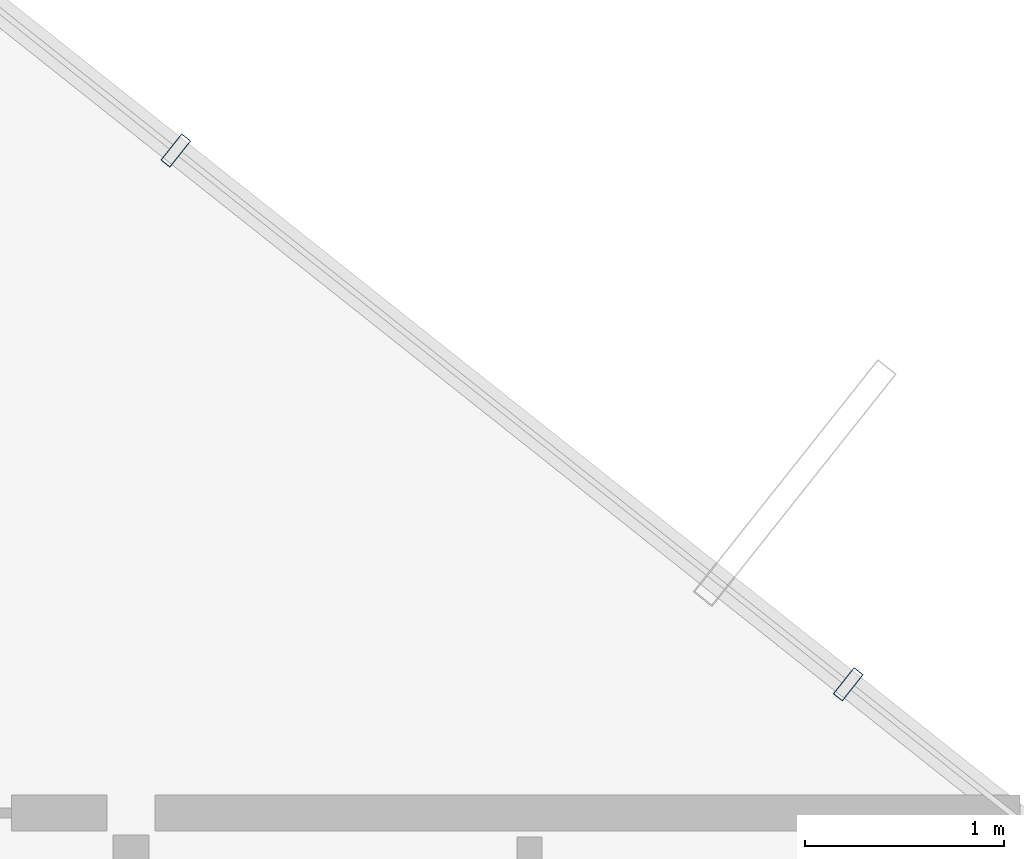
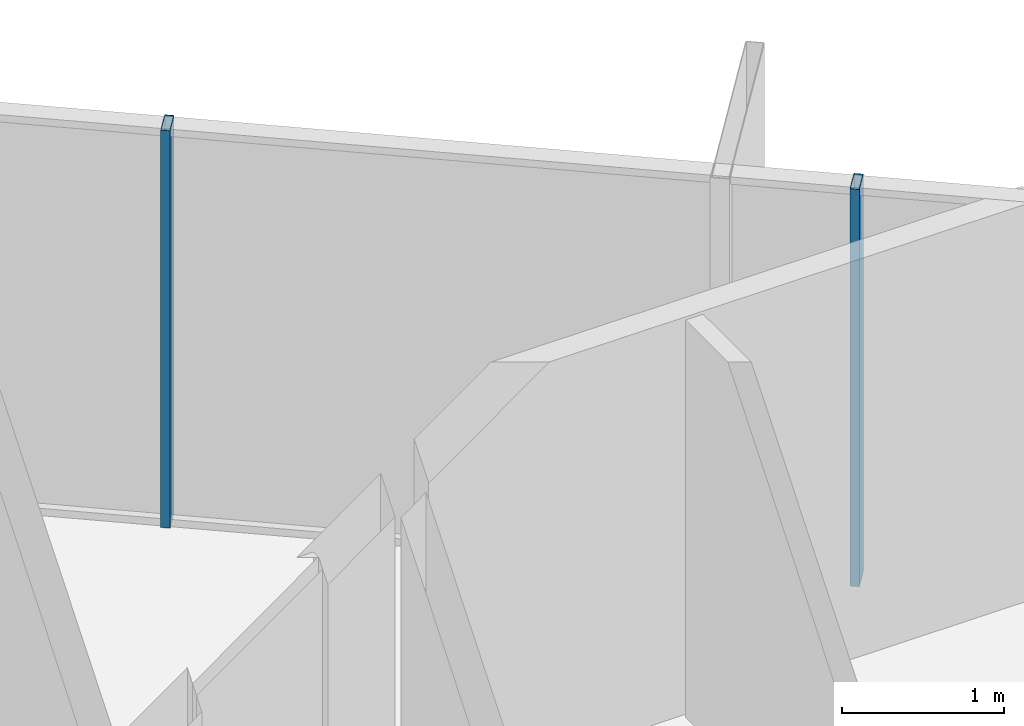
# One storey, part 22 of 29: 2 members, 1 element without a shape of its own.
"""IFC4 building model written with IfcOpenShell, lengths in metres."""

from ifc_helpers import new_model, si_unit, direction, frame, origin, origin_2d, place, context, subcontext, project, spatial, hollow_rectangle, extrude, source, transform, mapped, material, layer, layer_set, material_profile, profile_set, type_object, element, aggregate, save


model = new_model("IFC4")

# Units and contexts
model_context = context("Model", 3, precision=1e-05, world=origin(), true_north=direction((0.0, 1.0)))
body_context = subcontext(model_context, "Body", "Model", "MODEL_VIEW")
ifc_project = project(units=[si_unit("LENGTHUNIT", "METRE"), si_unit("AREAUNIT", "SQUARE_METRE"), si_unit("VOLUMEUNIT", "CUBIC_METRE"), si_unit("PLANEANGLEUNIT", "RADIAN"), si_unit("MASSUNIT", "GRAM", prefix="KILO")], contexts=[model_context])

# Site, building, storey
site_placement = place(None, origin())
site = spatial("IfcSite", under=ifc_project, at=site_placement, CompositionType="ELEMENT")
building_placement = place(site_placement, origin())
building = spatial("IfcBuilding", under=site, at=building_placement, Name="Veraguas Prism Commons", CompositionType="ELEMENT")
storey_placement = place(building_placement, frame((0.0, 0.0, 99.199951171875)))
storey = spatial("IfcBuildingStorey", under=building, at=storey_placement, Name="L27", CompositionType="ELEMENT", Elevation=99.199951171875)

# Curtain wall, members
ifc_material = material(Name="Anodised aluminium EN AW-6063 T6", Category="aluminium")
ifc_layer = layer(ifc_material, 0.169921875, Name="Unitised Flush Curtain Wall Zone 2", Category="aluminium")
ifc_layer_set = layer_set([ifc_layer], Name="Anodised aluminium EN AW-6063 T6")
curtain_wall_type = type_object("IfcCurtainWallType", Name="Unitised Flush Curtain Wall Zone 2", PredefinedType="NOTDEFINED", material=ifc_layer_set)
curtain_wall_placement = place(storey_placement, origin())
curtain_wall = element("IfcCurtainWall", 1, at=curtain_wall_placement, inside=storey, type_object=curtain_wall_type, Name="Tower Facade Curtain Wall L27-F1", PredefinedType="NOTDEFINED")
ifc_material_profile = material_profile(ifc_material, hollow_rectangle(XDim=0.06005859375, YDim=0.169921875, WallThickness=0.00390625, at=origin_2d()), Name="AL60X170X4")
ifc_profile_set = profile_set([ifc_material_profile], Name="Anodised aluminium EN AW-6063 T6")
member_type = type_object("IfcMemberType", Name="Curtain Wall Mullion Lower AL 60x170x4", PredefinedType="MULLION", material=ifc_profile_set)
shared_shape = source(origin(), body_context, "Body", "SweptSolid", [
    extrude(hollow_rectangle(XDim=0.06005859375, YDim=0.169921875, WallThickness=0.00390625, at=origin_2d()), origin(), (0.0, 0.0, 1.0), 3.0),
])
member_1_placement = place(storey_placement, frame((39.30029296875, 36.34619140625, 0.0), z_axis=(0.0, 0.0, 1.0), x_axis=(-0.783260708484, 0.621693383063, 0.0)))
member_1 = element("IfcMember", 2, at=member_1_placement, type_object=member_type, Name="CW-Z2 Mullion 2", PredefinedType="MULLION", context=body_context, shape_type="MappedRepresentation", body=[
    mapped(shared_shape, transform((0.0, 0.0, 0.0), scale=1.0)),
])
member_2_placement = place(storey_placement, frame((35.925537109375, 39.02490234375, 0.0), z_axis=(0.0, 0.0, 1.0), x_axis=(-0.783260708484, 0.621693383063, 0.0)))
member_2 = element("IfcMember", 3, at=member_2_placement, type_object=member_type, Name="CW-Z2 Mullion 3", PredefinedType="MULLION", context=body_context, shape_type="MappedRepresentation", body=[
    mapped(shared_shape, transform((0.0, 0.0, 0.0), scale=1.0)),
])
aggregate(curtain_wall, [member_1, member_2])

save(model, "model.ifc")
